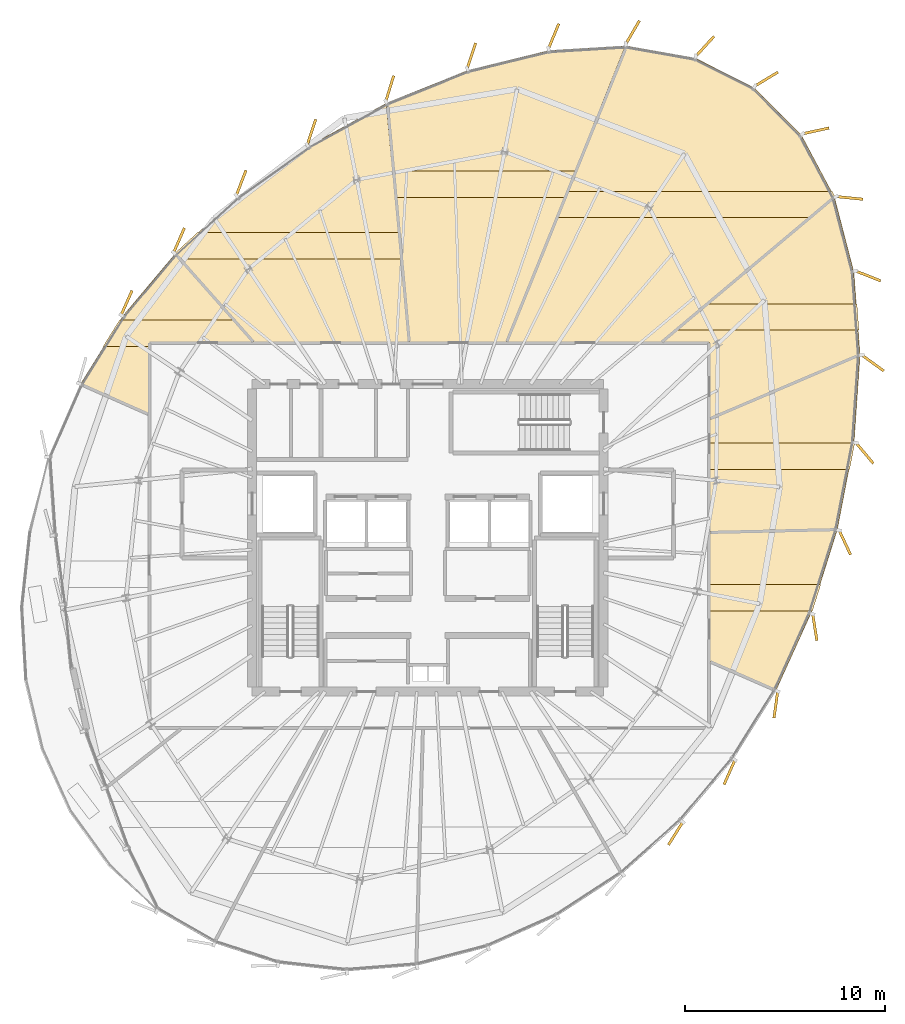
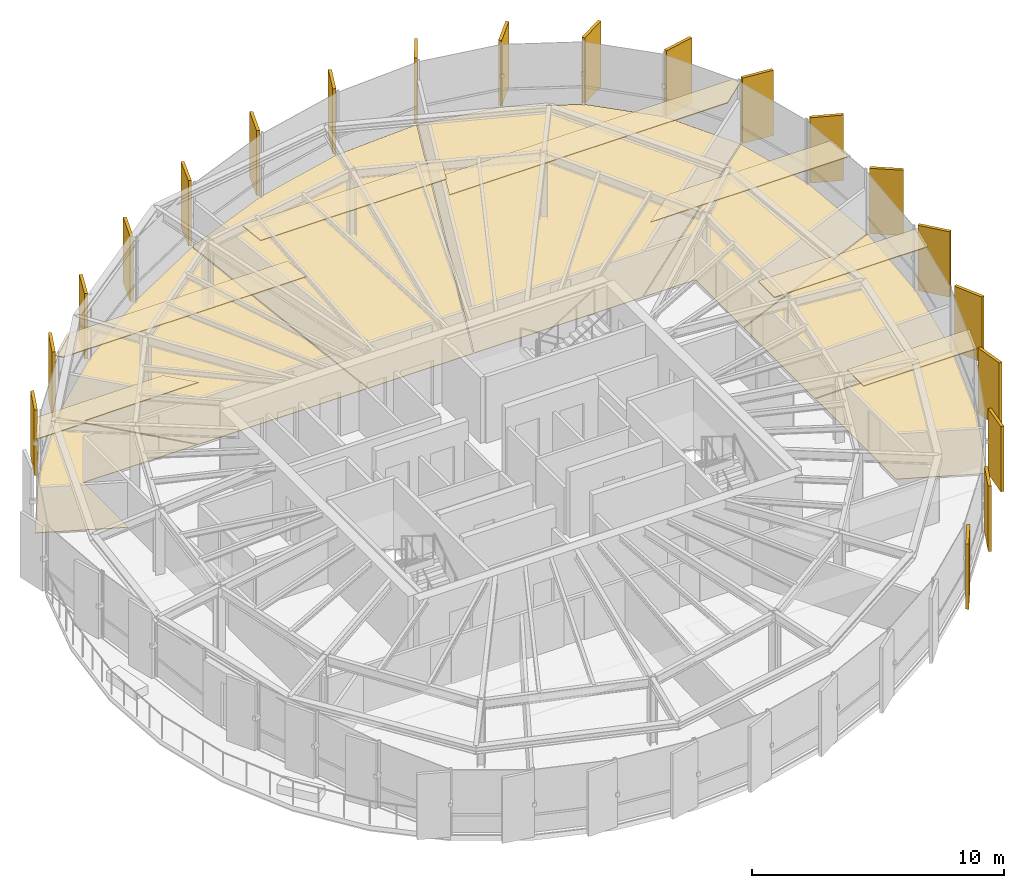
# One storey, part 32 of 32: 34 coverings.
"""IFC4 building model written with IfcOpenShell, lengths in metres."""

from ifc_helpers import new_model, si_unit, direction, frame, origin, origin_2d, place, context, subcontext, project, spatial, polyline, rectangle, outline, extrude, source, transform, mapped, material, layer, layer_set, type_object, element, save


model = new_model("IFC4")

# Units and contexts
model_context = context("Model", 3, precision=1e-05, world=origin(), true_north=direction((0.0, 1.0)))
body_context = subcontext(model_context, "Body", "Model", "MODEL_VIEW")
ifc_project = project(units=[si_unit("LENGTHUNIT", "METRE"), si_unit("AREAUNIT", "SQUARE_METRE"), si_unit("VOLUMEUNIT", "CUBIC_METRE"), si_unit("PLANEANGLEUNIT", "RADIAN"), si_unit("MASSUNIT", "GRAM", prefix="KILO"), si_unit("THERMODYNAMICTEMPERATUREUNIT", "KELVIN")], contexts=[model_context])

# Site, building, storey
site_placement = place(None, origin())
site = spatial("IfcSite", under=ifc_project, at=site_placement, CompositionType="ELEMENT")
building_placement = place(site_placement, origin())
building = spatial("IfcBuilding", under=site, at=building_placement, Name="Kethvar Cultural Tower", CompositionType="ELEMENT")
storey_placement = place(building_placement, frame((0.0, 0.0, 252.550048828125)))
storey = spatial("IfcBuildingStorey", under=building, at=storey_placement, Name="L66", CompositionType="ELEMENT", Elevation=252.550048828125)

# Coverings
ifc_material_1 = material(Name="Acoustic Mineral Fibre Ceiling")
ifc_layer_1 = layer(ifc_material_1, 0.0400390625, Name="Acoustic Mineral Fibre Ceiling")
ifc_layer_set_1 = layer_set([ifc_layer_1], Name="Acoustic Mineral Fibre Ceiling (40 mm)")
covering_type_1 = type_object("IfcCoveringType", Name="CV-ACOUSTIC-CEIL", PredefinedType="CEILING", material=ifc_layer_set_1)
covering_1_placement = place(storey_placement, frame((0.0, 0.0, 3.0)))
element("IfcCovering", 1, at=covering_1_placement, inside=storey, type_object=covering_type_1, Name="L66 Room 05 Acoustic Ceiling Panel", PredefinedType="CEILING", context=body_context, shape_type="SweptSolid", body=[
    extrude(outline(polyline([(60.867919921875, 25.4541015625), (66.474853515625, 25.4541015625), (66.061767578125, 24.144287109375), (60.867919921875, 24.144287109375), (60.867919921875, 25.4541015625)])), origin(), (0.0, 0.0, 1.0), 0.0400390625),
])
covering_2_placement = place(storey_placement, frame((0.0, 0.0, 3.0)))
element("IfcCovering", 2, at=covering_2_placement, inside=storey, type_object=covering_type_1, Name="L66 Room 06 Acoustic Ceiling Panel", PredefinedType="CEILING", context=body_context, shape_type="SweptSolid", body=[
    extrude(outline(polyline([(67.923095703125, 31.23388671875), (60.867919921875, 31.23388671875), (60.867919921875, 32.543701171875), (68.17529296875, 32.543701171875), (67.923095703125, 31.23388671875)])), origin(), (0.0, 0.0, 1.0), 0.0400390625),
])
covering_3_placement = place(storey_placement, frame((0.0, 0.0, 3.0)))
element("IfcCovering", 3, at=covering_3_placement, inside=storey, type_object=covering_type_1, Name="L66 Room 07 Acoustic Ceiling Panel", PredefinedType="CEILING", context=body_context, shape_type="SweptSolid", body=[
    extrude(outline(polyline([(68.3857421875, 38.209716796875), (59.2099609375, 38.209716796875), (60.775390625, 39.519775390625), (68.288818359375, 39.519775390625), (68.3857421875, 38.209716796875)])), origin(), (0.0, 0.0, 1.0), 0.0400390625),
])
covering_4_placement = place(storey_placement, frame((0.0, 0.0, 3.0)))
element("IfcCovering", 4, at=covering_4_placement, inside=storey, type_object=covering_type_1, Name="L66 Room 08 Acoustic Ceiling Panel", PredefinedType="CEILING", context=body_context, shape_type="SweptSolid", body=[
    extrude(outline(polyline([(67.197998046875, 44.85986328125), (66.00146484375, 43.84033203125), (53.233154296875, 43.84033203125), (53.76025390625, 45.150390625), (67.043701171875, 45.150390625), (67.197998046875, 44.85986328125)])), origin(), (0.0, 0.0, 1.0), 0.0400390625),
])
covering_5_placement = place(storey_placement, frame((0.0, 0.0, 3.0)))
element("IfcCovering", 5, at=covering_5_placement, inside=storey, type_object=covering_type_1, Name="L66 Room 09 Acoustic Ceiling Panel", PredefinedType="CEILING", context=body_context, shape_type="SweptSolid", body=[
    extrude(outline(polyline([(53.681884765625, 44.84814453125), (45.16162109375, 44.84814453125), (45.037353515625, 46.158203125), (54.208984375, 46.158203125), (53.681884765625, 44.84814453125)])), origin(), (0.0, 0.0, 1.0), 0.0400390625),
])
covering_6_placement = place(storey_placement, frame((0.0, 0.0, 3.0)))
element("IfcCovering", 6, at=covering_6_placement, inside=storey, type_object=covering_type_1, Name="L66 Room 10 Acoustic Ceiling Panel", PredefinedType="CEILING", context=body_context, shape_type="SweptSolid", body=[
    extrude(outline(polyline([(45.49365234375, 41.775390625), (34.328857421875, 41.775390625), (34.110107421875, 42.02978515625), (35.2578125, 43.085205078125), (45.369140625, 43.085205078125), (45.49365234375, 41.775390625)])), origin(), (0.0, 0.0, 1.0), 0.0400390625),
])
covering_7_placement = place(storey_placement, frame((0.0, 0.0, 3.0)))
element("IfcCovering", 7, at=covering_7_placement, inside=storey, type_object=covering_type_1, Name="L66 Room 11 Acoustic Ceiling Panel", PredefinedType="CEILING", context=body_context, shape_type="SweptSolid", body=[
    extrude(outline(polyline([(38.122314453125, 37.5751953125), (32.8701171875, 37.5419921875), (32.8701171875, 37.386474609375), (30.537353515625, 37.386474609375), (31.3525390625, 38.6962890625), (37.1240234375, 38.6962890625), (38.122314453125, 37.5751953125)])), origin(), (0.0, 0.0, 1.0), 0.0400390625),
])
ifc_material_2 = material(Name="Architectural Oak Timber", Category="wood")
ifc_layer_2 = layer(ifc_material_2, 0.02490234375, Name="Architectural Oak Timber", Category="wood")
ifc_layer_set_2 = layer_set([ifc_layer_2], Name="Architectural Oak Timber (25 mm)")
covering_type_2 = type_object("IfcCoveringType", Name="CV-OAK-FLOOR", PredefinedType="FLOORING", material=ifc_layer_set_2)
covering_8_placement = place(storey_placement, origin())
element("IfcCovering", 8, at=covering_8_placement, inside=storey, type_object=covering_type_2, Name="L66 Room 05 Floor Finish", PredefinedType="FLOORING", context=body_context, shape_type="SweptSolid", body=[
    extrude(outline(polyline([(65.978271484375, 24.012939453125), (64.2373046875, 20.17333984375), (60.907958984375, 21.6337890625), (60.907958984375, 28.04931640625), (67.289794921875, 28.171142578125), (65.978271484375, 24.012939453125)])), origin(), (0.0, 0.0, 1.0), 0.02490234375),
])
covering_9_placement = place(storey_placement, origin())
element("IfcCovering", 9, at=covering_9_placement, inside=storey, type_object=covering_type_2, Name="L66 Room 06 Floor Finish", PredefinedType="FLOORING", context=body_context, shape_type="SweptSolid", body=[
    extrude(outline(polyline([(68.139404296875, 32.568359375), (67.300537109375, 28.21142578125), (60.907958984375, 28.08935546875), (60.907958984375, 33.733154296875), (68.437255859375, 36.9111328125), (68.139404296875, 32.568359375)])), origin(), (0.0, 0.0, 1.0), 0.02490234375),
])
covering_10_placement = place(storey_placement, origin())
element("IfcCovering", 10, at=covering_10_placement, inside=storey, type_object=covering_type_2, Name="L66 Room 07 Floor Finish", PredefinedType="FLOORING", context=body_context, shape_type="SweptSolid", body=[
    extrude(outline(polyline([(68.13134765625, 41.10595703125), (68.4384765625, 36.955078125), (60.907958984375, 33.776611328125), (60.904541015625, 37.572998046875), (58.52197265625, 37.58203125), (67.168212890625, 44.816650390625), (68.13134765625, 41.10595703125)])), origin(), (0.0, 0.0, 1.0), 0.02490234375),
])
covering_11_placement = place(storey_placement, origin())
element("IfcCovering", 11, at=covering_11_placement, inside=storey, type_object=covering_type_2, Name="L66 Room 08 Floor Finish", PredefinedType="FLOORING", context=body_context, shape_type="SweptSolid", body=[
    extrude(outline(polyline([(67.154296875, 44.857177734375), (58.459716796875, 37.58203125), (50.7578125, 37.58203125), (56.732421875, 52.42919921875), (60.199951171875, 51.81689453125), (63.16162109375, 50.319580078125), (65.50048828125, 47.9658203125), (67.154296875, 44.857177734375)])), origin(), (0.0, 0.0, 1.0), 0.02490234375),
])
covering_12_placement = place(storey_placement, origin())
element("IfcCovering", 12, at=covering_12_placement, inside=storey, type_object=covering_type_2, Name="L66 Room 09 Floor Finish", PredefinedType="FLOORING", context=body_context, shape_type="SweptSolid", body=[
    extrude(outline(polyline([(48.8076171875, 51.205322265625), (52.863037109375, 52.198974609375), (56.689453125, 52.4296875), (50.71484375, 37.58203125), (45.8916015625, 37.58203125), (44.75341796875, 49.573486328125), (48.8076171875, 51.205322265625)])), origin(), (0.0, 0.0, 1.0), 0.02490234375),
])
covering_13_placement = place(storey_placement, origin())
element("IfcCovering", 13, at=covering_13_placement, inside=storey, type_object=covering_type_2, Name="L66 Room 10 Floor Finish", PredefinedType="FLOORING", context=body_context, shape_type="SweptSolid", body=[
    extrude(outline(polyline([(37.271728515625, 44.869384765625), (40.843017578125, 47.4169921875), (44.715087890625, 49.554443359375), (45.851318359375, 37.58203125), (38.116455078125, 37.58203125), (34.158203125, 42.027099609375), (37.271728515625, 44.869384765625)])), origin(), (0.0, 0.0, 1.0), 0.02490234375),
])
covering_14_placement = place(storey_placement, origin())
element("IfcCovering", 14, at=covering_14_placement, inside=storey, type_object=covering_type_2, Name="L66 Room 11 Floor Finish", PredefinedType="FLOORING", context=body_context, shape_type="SweptSolid", body=[
    extrude(outline(polyline([(31.525146484375, 38.897705078125), (34.13037109375, 41.998046875), (38.062744140625, 37.58203125), (32.8388671875, 37.57861328125), (32.830078125, 34.001220703125), (29.4169921875, 35.5107421875), (31.525146484375, 38.897705078125)])), origin(), (0.0, 0.0, 1.0), 0.02490234375),
])
ifc_material_3 = material(Name="Extruded Architectural Terracotta", Category="masonry")
ifc_layer_3 = layer(ifc_material_3, 0.135009765625, Name="Extruded Architectural Terracotta", Category="masonry")
ifc_layer_set_3 = layer_set([ifc_layer_3], Name="Extruded Architectural Terracotta (135 mm)")
covering_type_3 = type_object("IfcCoveringType", Name="Terracotta Facade Fin FIN-03", PredefinedType="CLADDING", material=ifc_layer_set_3)
shared_shape = source(origin(), body_context, "Body", "SweptSolid", [
    extrude(rectangle(XDim=1.35009765625, YDim=0.135009765625, at=origin_2d()), origin(), (0.0, 0.0, 1.0), 3.169921875),
])
for number, where, z_axis, x_axis, name in (
    (15, (63.755126953125, 50.773193359375, 0.02001953125), (0.0, 0.0, 1.0), (0.855545033584, 0.517728399366, 0.0), "L66 Vertical Terracotta Fin 1.1"),
    (16, (60.675537109375, 52.4130859375, 0.02001953125), (0.0, 0.0, 1.0), (0.674560116039, 0.738219919705, 0.0), "L66 Vertical Terracotta Fin 1.2"),
    (17, (57.05517578125, 53.114501953125, 0.02001953125), (0.0, 0.0, 1.0), (0.503773977046, 0.863835505204, 0.0), "L66 Vertical Terracotta Fin 1.3"),
    (18, (53.09814453125, 52.9208984375, 0.02001953125), (0.0, 0.0, 1.0), (0.380747625693, 0.924678995938, 0.0), "L66 Vertical Terracotta Fin 1.4"),
    (19, (48.982421875, 51.93994140625, 0.02001953125), (0.0, 0.0, 1.0), (0.312334918512, 0.949972051525, 0.0), "L66 Vertical Terracotta Fin 1.5"),
    (20, (44.89208984375, 50.3017578125, 0.02001953125), (0.0, 0.0, 1.0), (0.294540736955, 0.955638924633, 0.0), "L66 Vertical Terracotta Fin 1.6"),
    (21, (40.971435546875, 48.118408203125, 0.02001953125), (0.0, 0.0, 1.0), (0.318132103987, 0.948046393597, 0.0), "L66 Vertical Terracotta Fin 2.1"),
    (22, (37.448486328125, 45.573486328125, 0.02001953125), (0.0, 0.0, 1.0), (0.360485252079, 0.932764913059, 0.0), "L66 Vertical Terracotta Fin 2.2"),
    (23, (34.33837890625, 42.698974609375, 0.02001953125), (0.0, 0.0, 1.0), (0.399549202878, 0.916711751032, 0.0), "L66 Vertical Terracotta Fin 2.3"),
    (24, (31.71435546875, 39.569091796875, 0.02001953125), (0.0, 0.0, 1.0), (0.404982013193, 0.914324651855, 0.0), "L66 Vertical Terracotta Fin 2.4"),
    (25, (59.2080078125, 12.99658203125, 0.02001953125), (0.0, 0.0, 1.0), (-0.531398579518, -0.847121921382, 0.0), "L66 Vertical Terracotta Fin 5.6"),
    (26, (61.904052734375, 16.061279296875, 0.02001953125), (0.0, 0.0, 1.0), (-0.405620233474, -0.914041698281, 0.0), "L66 Vertical Terracotta Fin 6.1"),
    (27, (64.227294921875, 19.4453125, 0.02001953125), (0.0, 0.0, 1.0), (-0.137963156715, -0.990437361669, 0.0), "L66 Vertical Terracotta Fin 6.2"),
    (28, (66.17822265625, 23.31494140625, 0.02001953125), (0.0, 0.0, 1.0), (0.155572484907, -0.987824479318, 0.0), "L66 Vertical Terracotta Fin 6.3"),
    (29, (67.68212890625, 27.565185546875, 0.02001953125), (0.0, 0.0, 1.0), (0.424199422745, -0.905568799011, 0.0), "L66 Vertical Terracotta Fin 6.4"),
    (30, (68.673095703125, 32.043212890625, 0.02001953125), (0.0, 0.0, 1.0), (0.643188621489, -0.765707775321, 0.0), "L66 Vertical Terracotta Fin 6.5"),
    (31, (69.0859375, 36.55224609375, 0.02001953125), (0.0, 0.0, 1.0), (0.809939286826, -0.586513726741, 0.0), "L66 Vertical Terracotta Fin 6.6"),
    (32, (68.84716796875, 40.915771484375, 0.02001953125), (0.0, 0.0, 1.0), (0.92990492895, -0.367799977044, 0.0), "L66 Vertical Terracotta Fin 7.1"),
    (33, (67.921875, 44.82275390625, 0.02001953125), (0.0, 0.0, 1.0), (0.995055569961, -0.099319749744, 0.0), "L66 Vertical Terracotta Fin 7.2"),
    (34, (66.23291015625, 48.17919921875, 0.02001953125), (0.0, 0.0, 1.0), (0.976634785074, 0.214905785365, 0.0), "L66 Vertical Terracotta Fin 7.3"),
):
    element("IfcCovering", number, at=place(storey_placement, frame(where, z_axis=z_axis, x_axis=x_axis)), inside=storey, type_object=covering_type_3, Name=name, PredefinedType="CLADDING", context=body_context, shape_type="MappedRepresentation", body=[
        mapped(shared_shape, transform((0.0, 0.0, 0.0), scale=1.0)),
    ])

save(model, "model.ifc")
